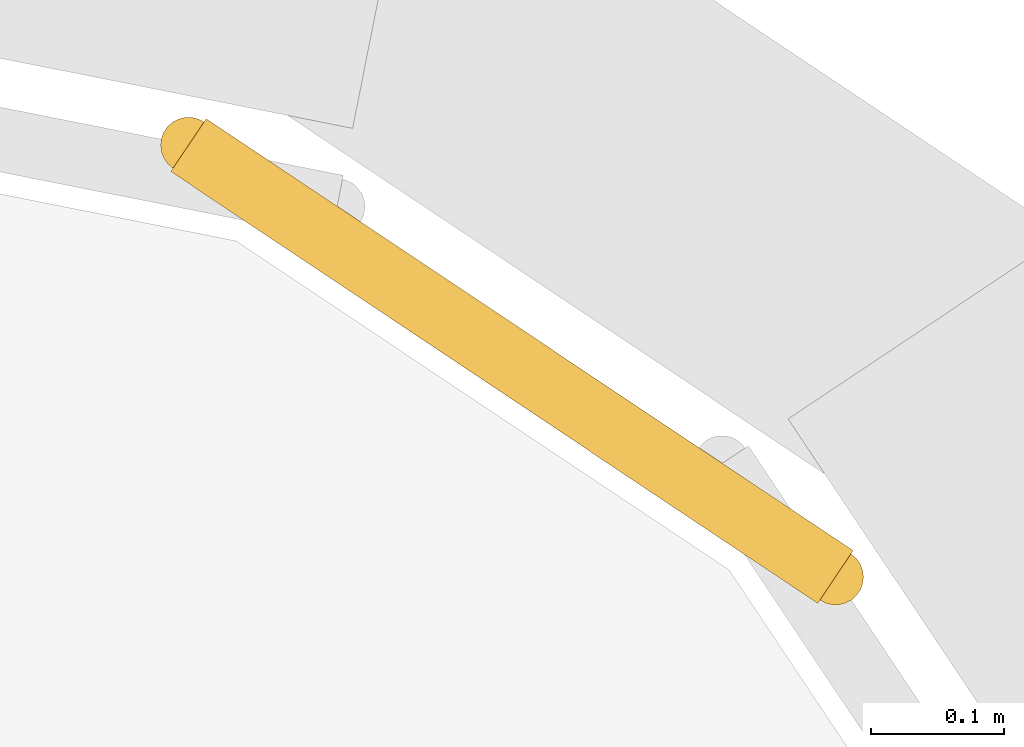
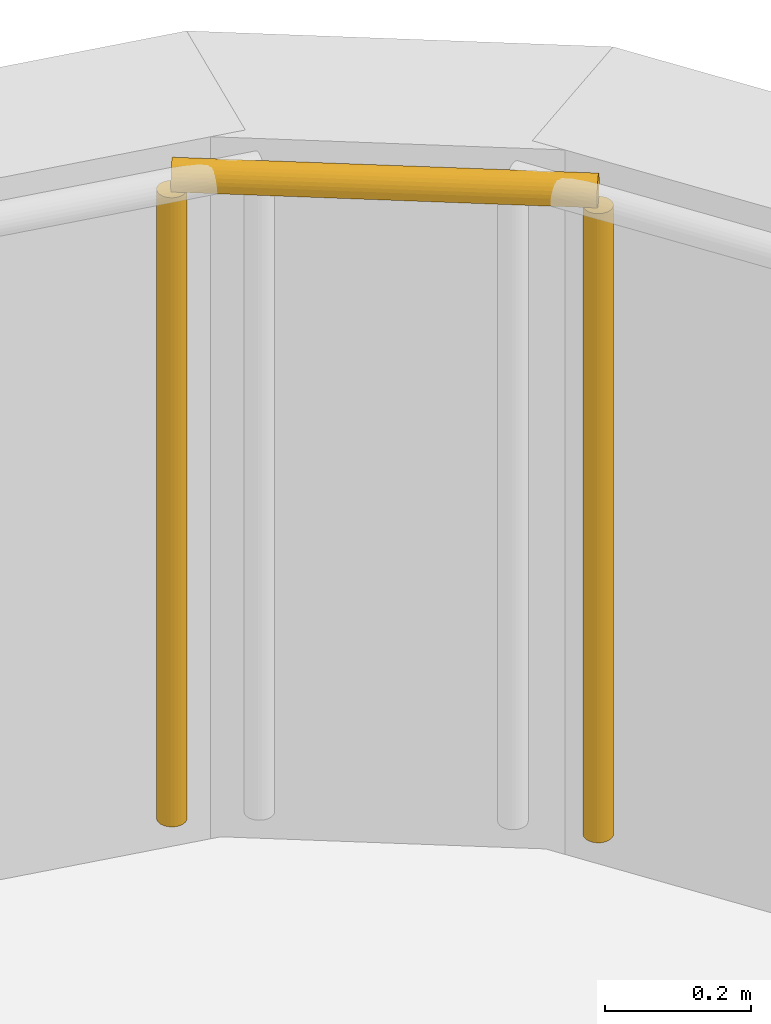
# One storey, part 17 of 17: 1 railing.
"""IFC4 building model written with IfcOpenShell, lengths in metres."""

from ifc_helpers import new_model, si_unit, direction, frame, origin, origin_2d, place, context, subcontext, project, spatial, circle, extrude, material, type_object, element, save


model = new_model("IFC4")

# Units and contexts
model_context = context("Model", 3, precision=1e-05, world=origin(), true_north=direction((0.0, 1.0)))
body_context = subcontext(model_context, "Body", "Model", "MODEL_VIEW")
ifc_project = project(units=[si_unit("LENGTHUNIT", "METRE"), si_unit("AREAUNIT", "SQUARE_METRE"), si_unit("VOLUMEUNIT", "CUBIC_METRE"), si_unit("PLANEANGLEUNIT", "RADIAN"), si_unit("MASSUNIT", "GRAM", prefix="KILO")], contexts=[model_context])

# Site, building, storey
site_placement = place(None, origin())
site = spatial("IfcSite", under=ifc_project, at=site_placement, CompositionType="ELEMENT")
building_placement = place(site_placement, origin())
building = spatial("IfcBuilding", under=site, at=building_placement, Name="Claustro Exchange Tower", CompositionType="ELEMENT")
storey_placement = place(building_placement, frame((0.0, 0.0, 96.300048828125)))
storey = spatial("IfcBuildingStorey", under=building, at=storey_placement, Name="L21", CompositionType="ELEMENT", Elevation=96.300048828125)

# Railing
ifc_material = material(Name="Stainless steel posts and rail, laminated glass infill", Category="steel")
railing_type = type_object("IfcRailingType", Name="GR3 1100 terrace guard railing", PredefinedType="GUARDRAIL", material=ifc_material)
railing_placement = place(storey_placement, frame((50.501708984375, 51.22802734375, 0.0)))
element("IfcRailing", 1, at=railing_placement, inside=storey, type_object=railing_type, Name="Terrace guard GR3 L21", PredefinedType="GUARDRAIL", context=body_context, shape_type="SweptSolid", body=[
    extrude(circle(Radius=0.02392578125, at=origin_2d()), frame((0.0, 0.0, 1.076171875), z_axis=(0.831729296682, -0.555181391115, 0.0), x_axis=(0.555181391115, 0.831729296682, 0.0)), (0.0, 0.0, 1.0), 0.585205078125),
    extrude(circle(Radius=0.02099609375, at=origin_2d()), origin(), (0.0, 0.0, 1.0), 1.052001953125),
    extrude(circle(Radius=0.02099609375, at=origin_2d()), frame((0.48681640625, -0.324951171875, 0.0)), (0.0, 0.0, 1.0), 1.052001953125),
])

save(model, "model.ifc")
